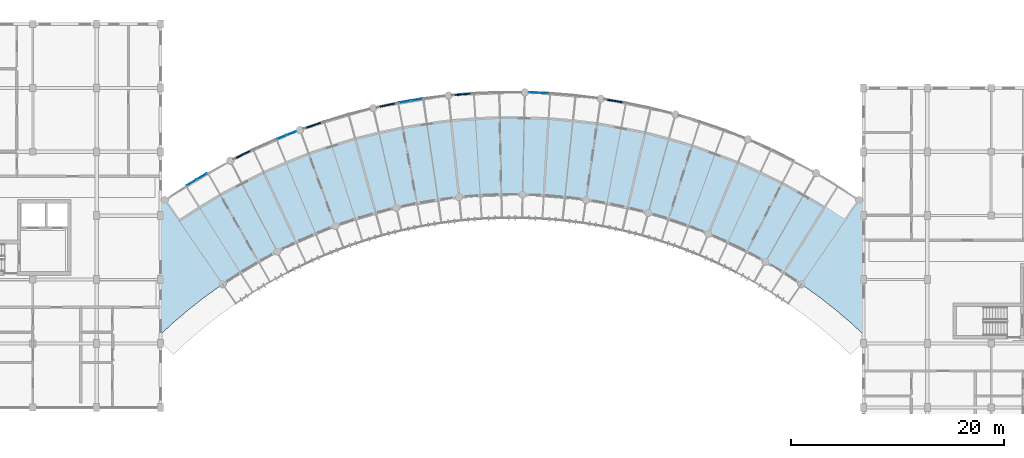
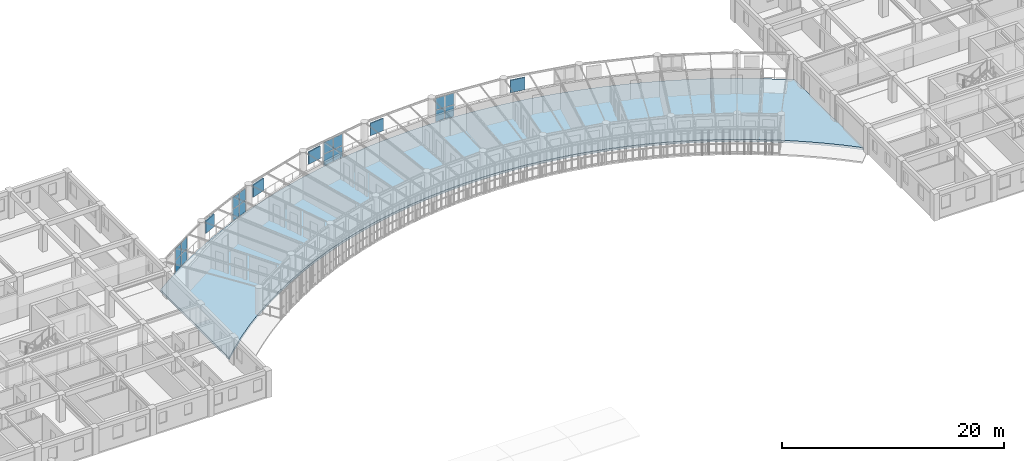
# One storey, part 49 of 100: 21 plates, 1 slab, 4 elements without a shape of their own.
"""IFC4 building model written with IfcOpenShell, lengths in metres."""

from ifc_helpers import new_model, si_unit, direction, frame, origin, origin_2d, place, context, subcontext, project, spatial, polyline, rectangle, outline, extrude, material, layer, layer_set, type_object, element, aggregate, save


model = new_model("IFC4")

# Units and contexts
model_context = context("Model", 3, precision=1e-05, world=origin(), true_north=direction((0.0, 1.0)))
body_context = subcontext(model_context, "Body", "Model", "MODEL_VIEW")
ifc_project = project(units=[si_unit("LENGTHUNIT", "METRE"), si_unit("AREAUNIT", "SQUARE_METRE"), si_unit("VOLUMEUNIT", "CUBIC_METRE"), si_unit("PLANEANGLEUNIT", "RADIAN"), si_unit("MASSUNIT", "GRAM", prefix="KILO"), si_unit("POWERUNIT", "WATT"), si_unit("THERMODYNAMICTEMPERATUREUNIT", "KELVIN")], contexts=[model_context])

# Site, building, storey
site_placement = place(None, origin())
site = spatial("IfcSite", under=ifc_project, at=site_placement, CompositionType="ELEMENT")
building_placement = place(site_placement, origin())
building = spatial("IfcBuilding", under=site, at=building_placement, Name="Ruvembo Vaulted Housing Court", CompositionType="ELEMENT")
storey_placement = place(building_placement, frame((0.0, 0.0, 10.89990234375)))
storey = spatial("IfcBuildingStorey", under=building, at=storey_placement, Name="L03", CompositionType="ELEMENT", Elevation=10.89990234375)

# Curtain wall, plates
ifc_material_1 = material(Name="Anodised Aluminium and Solar-Control Glass", Category="aluminium")
ifc_layer_1 = layer(ifc_material_1, 0.1201171875, Name="Anodised Aluminium and Solar-Control Glass")
ifc_layer_set_1 = layer_set([ifc_layer_1], Name="Anodised Aluminium and Solar-Control Glass")
curtain_wall_type_1 = type_object("IfcCurtainWallType", Name="CW-SCOOP-GAL", PredefinedType="NOTDEFINED", material=ifc_layer_set_1)
curtain_wall_1_placement = place(storey_placement, origin())
curtain_wall_1 = element("IfcCurtainWall", 1, at=curtain_wall_1_placement, inside=storey, type_object=curtain_wall_type_1, Name="L03 Curtain Wall CW-L03-0072", PredefinedType="NOTDEFINED")
ifc_material_2 = material(Name="Solar-Control Laminated Insulating Glass", Category="glass")
ifc_layer_2 = layer(ifc_material_2, 0.035888671875, Name="Solar-Control Laminated Insulating Glass")
ifc_layer_set_2 = layer_set([ifc_layer_2], Name="Solar-Control Laminated Insulating Glass")
plate_type_1 = type_object("IfcPlateType", Name="CW-PANEL-ACOUST", PredefinedType="CURTAIN_PANEL", material=ifc_layer_set_2)
plate_1_placement = place(storey_placement, frame((95.3935546875, 103.38427734375, 0.06005859375), z_axis=(0.0, 0.0, 1.0), x_axis=(0.930994287216, 0.365033747989, 0.0)))
plate_1 = element("IfcPlate", 2, at=plate_1_placement, type_object=plate_type_1, Name="CW6 panel 1.1", PredefinedType="CURTAIN_PANEL", context=body_context, shape_type="SweptSolid", body=[
    extrude(rectangle(XDim=0.9052734375, YDim=0.035888671875, at=origin_2d()), origin(), (0.0, 0.0, 1.0), 1.259033203125),
])
plate_2_placement = place(storey_placement, frame((95.3935546875, 103.38427734375, 1.37890625), z_axis=(0.0, 0.0, 1.0), x_axis=(0.930994287216, 0.365033747989, 0.0)))
plate_2 = element("IfcPlate", 3, at=plate_2_placement, type_object=plate_type_1, Name="CW6 panel 1.2", PredefinedType="CURTAIN_PANEL", context=body_context, shape_type="SweptSolid", body=[
    extrude(rectangle(XDim=0.9052734375, YDim=0.035888671875, at=origin_2d()), origin(), (0.0, 0.0, 1.0), 1.259033203125),
])
plate_3_placement = place(storey_placement, frame((96.292236328125, 103.73681640625, 0.06005859375), z_axis=(0.0, 0.0, 1.0), x_axis=(0.930994287216, 0.365033747989, 0.0)))
plate_3 = element("IfcPlate", 4, at=plate_3_placement, type_object=plate_type_1, Name="CW6 panel 2.1", PredefinedType="CURTAIN_PANEL", context=body_context, shape_type="SweptSolid", body=[
    extrude(rectangle(XDim=0.9052734375, YDim=0.035888671875, at=origin_2d()), origin(), (0.0, 0.0, 1.0), 1.259033203125),
])
plate_4_placement = place(storey_placement, frame((96.292236328125, 103.73681640625, 1.37890625), z_axis=(0.0, 0.0, 1.0), x_axis=(0.930994287216, 0.365033747989, 0.0)))
plate_4 = element("IfcPlate", 5, at=plate_4_placement, type_object=plate_type_1, Name="CW6 panel 2.2", PredefinedType="CURTAIN_PANEL", context=body_context, shape_type="SweptSolid", body=[
    extrude(rectangle(XDim=0.9052734375, YDim=0.035888671875, at=origin_2d()), origin(), (0.0, 0.0, 1.0), 1.259033203125),
])
aggregate(curtain_wall_1, [plate_1, plate_2, plate_3, plate_4])

curtain_wall_2_placement = place(storey_placement, origin())
curtain_wall_2 = element("IfcCurtainWall", 6, at=curtain_wall_2_placement, inside=storey, type_object=curtain_wall_type_1, Name="L03 Curtain Wall CW-L03-0071", PredefinedType="NOTDEFINED")
ifc_layer_3 = layer(ifc_material_2, 0.028076171875, Name="Solar-Control Laminated Insulating Glass")
ifc_layer_set_3 = layer_set([ifc_layer_3], Name="Solar-Control Laminated Insulating Glass")
plate_type_2 = type_object("IfcPlateType", Name="CW-PANEL-GLAZED", PredefinedType="CURTAIN_PANEL", material=ifc_layer_set_3)
plate_5_placement = place(storey_placement, frame((86.930419921875, 99.116943359375, 0.06005859375), z_axis=(0.0, 0.0, 1.0), x_axis=(0.85789323734, 0.513827980288, 0.0)))
plate_5 = element("IfcPlate", 7, at=plate_5_placement, type_object=plate_type_2, Name="CW6 panel 1.1", PredefinedType="CURTAIN_PANEL", context=body_context, shape_type="SweptSolid", body=[
    extrude(rectangle(XDim=1.06298828125, YDim=0.028076171875, at=origin_2d()), origin(), (0.0, 0.0, 1.0), 1.259033203125),
])
plate_6_placement = place(storey_placement, frame((86.930419921875, 99.116943359375, 1.37890625), z_axis=(0.0, 0.0, 1.0), x_axis=(0.85789323734, 0.513827980288, 0.0)))
plate_6 = element("IfcPlate", 8, at=plate_6_placement, type_object=plate_type_2, Name="CW6 panel 1.2", PredefinedType="CURTAIN_PANEL", context=body_context, shape_type="SweptSolid", body=[
    extrude(rectangle(XDim=1.06298828125, YDim=0.028076171875, at=origin_2d()), origin(), (0.0, 0.0, 1.0), 1.259033203125),
])
plate_7_placement = place(storey_placement, frame((87.8896484375, 99.69140625, 0.06005859375), z_axis=(0.0, 0.0, 1.0), x_axis=(0.85789323734, 0.513827980288, 0.0)))
plate_7 = element("IfcPlate", 9, at=plate_7_placement, type_object=plate_type_2, Name="CW6 panel 2.1", PredefinedType="CURTAIN_PANEL", context=body_context, shape_type="SweptSolid", body=[
    extrude(rectangle(XDim=1.06298828125, YDim=0.028076171875, at=origin_2d()), origin(), (0.0, 0.0, 1.0), 1.259033203125),
])
plate_8_placement = place(storey_placement, frame((87.8896484375, 99.69140625, 1.37890625), z_axis=(0.0, 0.0, 1.0), x_axis=(0.85789323734, 0.513827980288, 0.0)))
plate_8 = element("IfcPlate", 10, at=plate_8_placement, type_object=plate_type_2, Name="CW6 panel 2.2", PredefinedType="CURTAIN_PANEL", context=body_context, shape_type="SweptSolid", body=[
    extrude(rectangle(XDim=1.06298828125, YDim=0.028076171875, at=origin_2d()), origin(), (0.0, 0.0, 1.0), 1.259033203125),
])
aggregate(curtain_wall_2, [plate_5, plate_6, plate_7, plate_8])

curtain_wall_3_placement = place(storey_placement, origin())
curtain_wall_3 = element("IfcCurtainWall", 11, at=curtain_wall_3_placement, inside=storey, type_object=curtain_wall_type_1, Name="L03 Curtain Wall CW-L03-0074", PredefinedType="NOTDEFINED")
plate_9_placement = place(storey_placement, frame((119.05859375, 107.5517578125, 0.06005859375), z_axis=(0.0, 0.0, 1.0), x_axis=(0.999138895967, -0.041490559959, 0.0)))
plate_9 = element("IfcPlate", 12, at=plate_9_placement, type_object=plate_type_2, Name="CW6 panel 1.1", PredefinedType="CURTAIN_PANEL", context=body_context, shape_type="SweptSolid", body=[
    extrude(rectangle(XDim=0.89794921875, YDim=0.028076171875, at=origin_2d()), origin(), (0.0, 0.0, 1.0), 1.259033203125),
])
plate_10_placement = place(storey_placement, frame((119.05859375, 107.5517578125, 1.37890625), z_axis=(0.0, 0.0, 1.0), x_axis=(0.999138895967, -0.041490559959, 0.0)))
plate_10 = element("IfcPlate", 13, at=plate_10_placement, type_object=plate_type_2, Name="CW6 panel 1.2", PredefinedType="CURTAIN_PANEL", context=body_context, shape_type="SweptSolid", body=[
    extrude(rectangle(XDim=0.89794921875, YDim=0.028076171875, at=origin_2d()), origin(), (0.0, 0.0, 1.0), 1.259033203125),
])
plate_11_placement = place(storey_placement, frame((120.020751953125, 107.51171875, 0.06005859375), z_axis=(0.0, 0.0, 1.0), x_axis=(0.999138895967, -0.041490559959, 0.0)))
plate_11 = element("IfcPlate", 14, at=plate_11_placement, type_object=plate_type_2, Name="CW6 panel 2.1", PredefinedType="CURTAIN_PANEL", context=body_context, shape_type="SweptSolid", body=[
    extrude(rectangle(XDim=0.89794921875, YDim=0.028076171875, at=origin_2d()), origin(), (0.0, 0.0, 1.0), 1.259033203125),
])
plate_12_placement = place(storey_placement, frame((120.020751953125, 107.51171875, 1.37890625), z_axis=(0.0, 0.0, 1.0), x_axis=(0.999138895967, -0.041490559959, 0.0)))
plate_12 = element("IfcPlate", 15, at=plate_12_placement, type_object=plate_type_2, Name="CW6 panel 2.2", PredefinedType="CURTAIN_PANEL", context=body_context, shape_type="SweptSolid", body=[
    extrude(rectangle(XDim=0.89794921875, YDim=0.028076171875, at=origin_2d()), origin(), (0.0, 0.0, 1.0), 1.259033203125),
])
aggregate(curtain_wall_3, [plate_9, plate_10, plate_11, plate_12])

ifc_layer_4 = layer(ifc_material_1, 0.139892578125, Name="Anodised Aluminium and Solar-Control Glass")
ifc_layer_set_4 = layer_set([ifc_layer_4], Name="Anodised Aluminium and Solar-Control Glass")
curtain_wall_type_2 = type_object("IfcCurtainWallType", Name="CW-SCOOP-PAN", PredefinedType="NOTDEFINED", material=ifc_layer_set_4)
curtain_wall_4_placement = place(storey_placement, origin())
curtain_wall_4 = element("IfcCurtainWall", 16, at=curtain_wall_4_placement, inside=storey, type_object=curtain_wall_type_2, Name="L03 Curtain Wall CW-L03-0073", PredefinedType="NOTDEFINED")
ifc_layer_5 = layer(ifc_material_2, 0.031982421875, Name="Solar-Control Laminated Insulating Glass")
ifc_layer_set_5 = layer_set([ifc_layer_5], Name="Solar-Control Laminated Insulating Glass")
plate_type_3 = type_object("IfcPlateType", Name="CW-PANEL-SOLAR", PredefinedType="CURTAIN_PANEL", material=ifc_layer_set_5)
plate_13_placement = place(storey_placement, frame((106.931884765625, 106.703369140625, 0.065185546875), z_axis=(0.0, 0.0, 1.0), x_axis=(0.986249615635, 0.165262505305, 0.0)))
plate_13 = element("IfcPlate", 17, at=plate_13_placement, type_object=plate_type_3, Name="CW10 panel 1.1", PredefinedType="CURTAIN_PANEL", context=body_context, shape_type="SweptSolid", body=[
    extrude(rectangle(XDim=1.055419921875, YDim=0.031982421875, at=origin_2d()), origin(), (0.0, 0.0, 1.0), 1.25146484375),
])
plate_14_placement = place(storey_placement, frame((106.931884765625, 106.703369140625, 1.381591796875), z_axis=(0.0, 0.0, 1.0), x_axis=(0.986249615635, 0.165262505305, 0.0)))
plate_14 = element("IfcPlate", 18, at=plate_14_placement, type_object=plate_type_3, Name="CW10 panel 1.2", PredefinedType="CURTAIN_PANEL", context=body_context, shape_type="SweptSolid", body=[
    extrude(rectangle(XDim=1.055419921875, YDim=0.031982421875, at=origin_2d()), origin(), (0.0, 0.0, 1.0), 1.25146484375),
])
plate_15_placement = place(storey_placement, frame((108.031982421875, 106.8876953125, 0.065185546875), z_axis=(0.0, 0.0, 1.0), x_axis=(0.986249615635, 0.165262505305, 0.0)))
plate_15 = element("IfcPlate", 19, at=plate_15_placement, type_object=plate_type_3, Name="CW10 panel 2.1", PredefinedType="CURTAIN_PANEL", context=body_context, shape_type="SweptSolid", body=[
    extrude(rectangle(XDim=1.055419921875, YDim=0.031982421875, at=origin_2d()), origin(), (0.0, 0.0, 1.0), 1.25146484375),
])
plate_16_placement = place(storey_placement, frame((108.031982421875, 106.8876953125, 1.381591796875), z_axis=(0.0, 0.0, 1.0), x_axis=(0.986249615635, 0.165262505305, 0.0)))
plate_16 = element("IfcPlate", 20, at=plate_16_placement, type_object=plate_type_3, Name="CW10 panel 2.2", PredefinedType="CURTAIN_PANEL", context=body_context, shape_type="SweptSolid", body=[
    extrude(rectangle(XDim=1.055419921875, YDim=0.031982421875, at=origin_2d()), origin(), (0.0, 0.0, 1.0), 1.25146484375),
])
aggregate(curtain_wall_4, [plate_13, plate_14, plate_15, plate_16])

# Plates
ifc_material_3 = material(Name="Perforated Glazed Ceramic Cobogo Block", Category="ceramic")
ifc_layer_6 = layer(ifc_material_3, 0.1201171875, Name="Perforated Glazed Ceramic Cobogo Block")
ifc_layer_set_6 = layer_set([ifc_layer_6], Name="Perforated Glazed Ceramic Cobogo Block")
plate_type_4 = type_object("IfcPlateType", Name="PL-COBOGO-120", PredefinedType="USERDEFINED", material=ifc_layer_set_6)
for number, where, z_axis, x_axis, name in (
    (21, (91.743408203125, 101.75390625, 1.1201171875), (0.0, 0.0, 1.0), (0.897558685292, 0.44089500616, 0.0), "Scoop SC3 L03 Ceramic Cobogo Screen #88"),
    (22, (98.367431640625, 104.490234375, 1.1201171875), (0.0, 0.0, 1.0), (0.945370740111, 0.325997183641, 0.0), "Scoop SC3 L03 Ceramic Cobogo Screen #89"),
    (23, (105.27978515625, 106.382568359375, 1.1201171875), (0.0, 0.0, 1.0), (0.978534170393, 0.206084636433, 0.0), "Scoop SC3 L03 Ceramic Cobogo Screen #90"),
    (24, (112.3740234375, 107.401611328125, 1.1201171875), (0.0, 0.0, 1.0), (0.996553930577, 0.082947353498, 0.0), "Scoop SC3 L03 Ceramic Cobogo Screen #91"),
    (25, (126.666015625, 106.770751953125, 1.1201171875), (0.0, 0.0, 1.0), (0.986245243357, -0.165288595967, 0.0), "Scoop SC3 L03 Ceramic Cobogo Screen #92"),
):
    element("IfcPlate", number, at=place(storey_placement, frame(where, z_axis=z_axis, x_axis=x_axis)), inside=storey, type_object=plate_type_4, Name=name, ObjectType="COBOGO_PANEL", PredefinedType="USERDEFINED", context=body_context, shape_type="SweptSolid", body=[
        extrude(rectangle(XDim=1.39990234375, YDim=0.1201171875, at=origin_2d()), origin(), (0.0, 0.0, 1.0), 1.360107421875),
    ])

# Slab
ifc_material_4 = material(Name="Concrete C35/45", Category="concrete")
ifc_layer_7 = layer(ifc_material_4, 0.251953125, Name="Concrete C35/45")
ifc_layer_set_7 = layer_set([ifc_layer_7], Name="Concrete C35/45")
slab_type = type_object("IfcSlabType", Name="SL-SCOOP-252", PredefinedType="FLOOR", material=ifc_layer_set_7)
slab_placement = place(storey_placement, frame((0.0, 0.0, -0.251953125)))
element("IfcSlab", 26, at=slab_placement, inside=storey, type_object=slab_type, Name="Scoop SC3 L03 Floor Slab", PredefinedType="FLOOR", context=body_context, shape_type="SweptSolid", body=[
    extrude(outline(polyline([(150.0, 84.8466796875), (150.0, 97.2001953125), (149.61376953125, 97.477294921875), (147.615478515625, 98.789794921875), (145.564453125, 100.018310546875), (143.464111328125, 101.16064453125), (141.318115234375, 102.21484375), (139.13037109375, 103.178955078125), (136.904541015625, 104.051513671875), (134.644287109375, 104.8310546875), (132.353759765625, 105.51611328125), (130.03662109375, 106.105224609375), (127.697021484375, 106.597900390625), (125.339111328125, 106.9931640625), (122.966796875, 107.2900390625), (120.584228515625, 107.48828125), (118.1953125, 107.587646484375), (115.8046875, 107.587646484375), (113.415771484375, 107.48828125), (111.033203125, 107.2900390625), (108.660888671875, 106.9931640625), (106.302978515625, 106.597900390625), (103.96337890625, 106.105224609375), (101.646240234375, 105.51611328125), (99.355712890625, 104.8310546875), (97.095458984375, 104.051513671875), (94.86962890625, 103.178955078125), (92.681884765625, 102.21484375), (90.535888671875, 101.16064453125), (88.435546875, 100.018310546875), (86.384521484375, 98.789794921875), (84.38623046875, 97.477294921875), (84.0, 97.2001953125), (84.0, 84.8466796875), (85.117919921875, 85.88232421875), (86.634521484375, 87.17431640625), (88.203369140625, 88.402587890625), (89.82177734375, 89.564453125), (91.487060546875, 90.658203125), (93.1962890625, 91.681884765625), (94.946533203125, 92.6337890625), (96.73486328125, 93.51220703125), (98.55810546875, 94.31591796875), (100.412841796875, 95.04296875), (102.29638671875, 95.6923828125), (104.205322265625, 96.26318359375), (106.13623046875, 96.75439453125), (108.085693359375, 97.1650390625), (110.05078125, 97.494384765625), (112.027587890625, 97.74169921875), (114.01318359375, 97.906982421875), (116.00390625, 97.98974609375), (117.99609375, 97.98974609375), (119.98681640625, 97.906982421875), (121.972412109375, 97.74169921875), (123.94921875, 97.494384765625), (125.914306640625, 97.1650390625), (127.86376953125, 96.75439453125), (129.794677734375, 96.26318359375), (131.70361328125, 95.6923828125), (133.587158203125, 95.04296875), (135.44189453125, 94.31591796875), (137.26513671875, 93.51220703125), (139.053466796875, 92.6337890625), (140.8037109375, 91.681884765625), (142.512939453125, 90.658203125), (144.17822265625, 89.564453125), (145.796630859375, 88.402587890625), (147.365478515625, 87.17431640625), (148.882080078125, 85.88232421875), (150.0, 84.8466796875)])), origin(), (0.0, 0.0, 1.0), 0.251953125),
])

save(model, "model.ifc")
